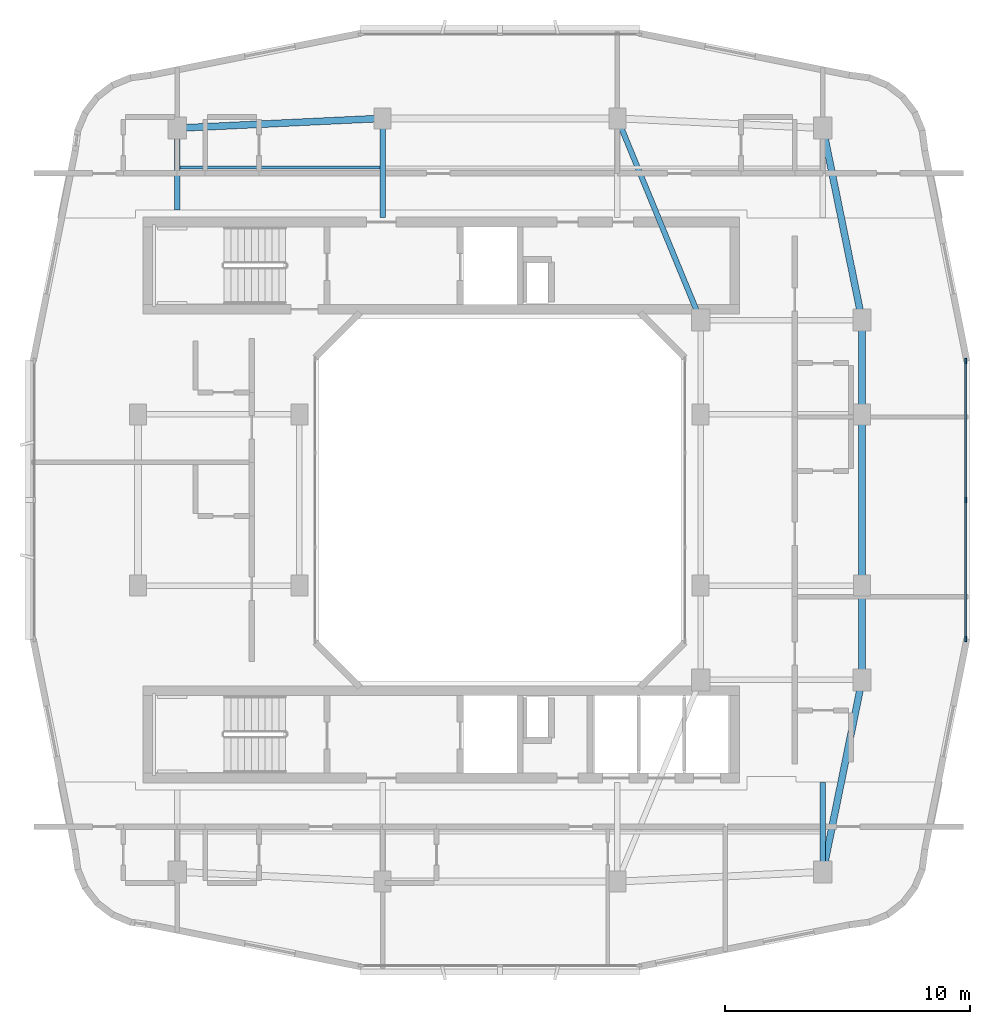
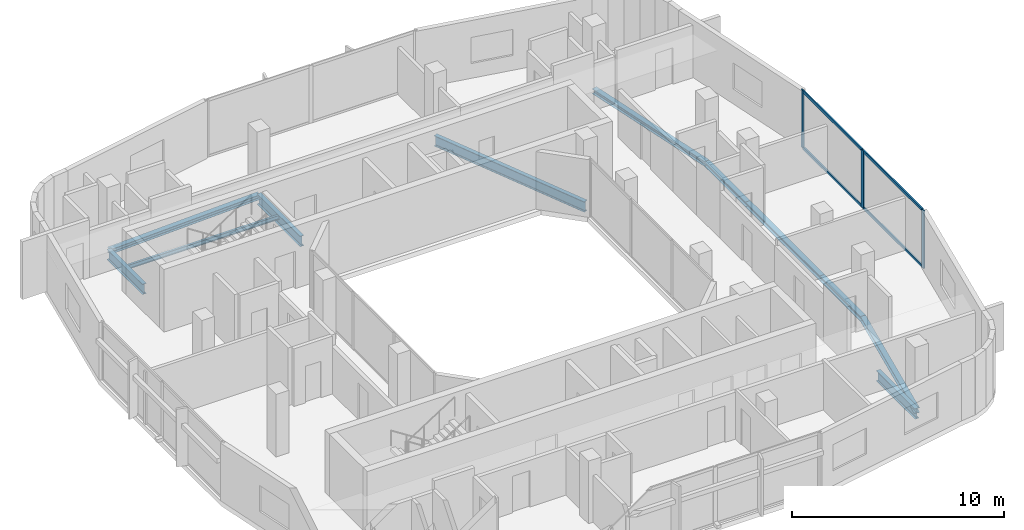
# One storey, part 4 of 14: 11 beams, 7 members, 1 element without a shape of its own.
"""IFC4 building model written with IfcOpenShell, lengths in metres."""

from ifc_helpers import new_model, si_unit, derived_unit, direction, frame, origin, origin_2d, place, context, subcontext, project, spatial, rectangle, i_section, extrude, material, layer, layer_set, material_profile, profile_set, type_object, element, aggregate, save


model = new_model("IFC4")

# Units and contexts
model_context = context("Model", 3, precision=1e-05, world=origin(), true_north=direction((0.0, 1.0)))
body_context = subcontext(model_context, "Body", "Model", "MODEL_VIEW")
ifc_project = project(units=[si_unit("LENGTHUNIT", "METRE"), si_unit("AREAUNIT", "SQUARE_METRE"), si_unit("VOLUMEUNIT", "CUBIC_METRE"), si_unit("PLANEANGLEUNIT", "RADIAN"), si_unit("MASSUNIT", "GRAM", prefix="KILO"), derived_unit("THERMALTRANSMITTANCEUNIT", [(si_unit("POWERUNIT", "WATT"), 1), (si_unit("LENGTHUNIT", "METRE"), -2), (si_unit("THERMODYNAMICTEMPERATUREUNIT", "KELVIN"), -1)])], contexts=[model_context])

# Site, building, storey
site_placement = place(None, origin())
site = spatial("IfcSite", under=ifc_project, at=site_placement, CompositionType="ELEMENT")
building_placement = place(site_placement, origin())
building = spatial("IfcBuilding", under=site, at=building_placement, Name="Kivonza Crest Hotel", CompositionType="ELEMENT")
storey_placement = place(building_placement, frame((0.0, 0.0, 202.699951171875)))
storey = spatial("IfcBuildingStorey", under=building, at=storey_placement, Name="L55", CompositionType="ELEMENT", Elevation=202.699951171875)

# Beams
ifc_material_1 = material(Name="Steel S355", Category="steel")
ifc_material_profile_1 = material_profile(ifc_material_1, i_section(OverallWidth=0.280029296875, OverallDepth=0.280029296875, WebThickness=0.010498046875, FlangeThickness=0.01806640625, FilletRadius=0.02392578125, at=origin_2d()), Name="HEB 280")
ifc_profile_set_1 = profile_set([ifc_material_profile_1], Name="Steel S355")
beam_type_1 = type_object("IfcBeamType", Name="BM-HEB280", PredefinedType="SPANDREL", material=ifc_profile_set_1)
beam_1_placement = place(storey_placement, frame((34.199951171875, 9.800048828125, -0.419921875), z_axis=(0.199730733965, 0.979850822273, 0.0), x_axis=(-0.979850822273, 0.199730733965, 0.0)))
element("IfcBeam", 1, at=beam_1_placement, inside=storey, type_object=beam_type_1, Name="Tower T1 L55 perimeter spandrel SE-PSE", PredefinedType="SPANDREL", context=body_context, shape_type="SweptSolid", body=[
    extrude(i_section(OverallWidth=0.280029296875, OverallDepth=0.280029296875, WebThickness=0.010498046875, FlangeThickness=0.01806640625, FilletRadius=0.02392578125, at=origin_2d()), origin(), (0.0, 0.0, 1.0), 8.01123046875),
])
beam_2_placement = place(storey_placement, frame((35.800048828125, 17.64990234375, -0.419921875), z_axis=(0.0, 1.0, 0.0), x_axis=(-1.0, 0.0, 0.0)))
element("IfcBeam", 2, at=beam_2_placement, inside=storey, type_object=beam_type_1, Name="Tower T1 L55 perimeter spandrel PSE-E1", PredefinedType="SPANDREL", context=body_context, shape_type="SweptSolid", body=[
    extrude(i_section(OverallWidth=0.280029296875, OverallDepth=0.280029296875, WebThickness=0.010498046875, FlangeThickness=0.01806640625, FilletRadius=0.02392578125, at=origin_2d()), origin(), (0.0, 0.0, 1.0), 3.85009765625),
])
beam_3_placement = place(storey_placement, frame((35.800048828125, 21.5, -0.419921875), z_axis=(0.0, 1.0, 0.0), x_axis=(-1.0, 0.0, 0.0)))
element("IfcBeam", 3, at=beam_3_placement, inside=storey, type_object=beam_type_1, Name="Tower T1 L55 perimeter spandrel E1-E2", PredefinedType="SPANDREL", context=body_context, shape_type="SweptSolid", body=[
    extrude(i_section(OverallWidth=0.280029296875, OverallDepth=0.280029296875, WebThickness=0.010498046875, FlangeThickness=0.01806640625, FilletRadius=0.02392578125, at=origin_2d()), origin(), (0.0, 0.0, 1.0), 7.0),
])
beam_4_placement = place(storey_placement, frame((35.800048828125, 28.5, -0.419921875), z_axis=(0.0, 1.0, 0.0), x_axis=(-1.0, 0.0, 0.0)))
element("IfcBeam", 4, at=beam_4_placement, inside=storey, type_object=beam_type_1, Name="Tower T1 L55 perimeter spandrel E2-PNE", PredefinedType="SPANDREL", context=body_context, shape_type="SweptSolid", body=[
    extrude(i_section(OverallWidth=0.280029296875, OverallDepth=0.280029296875, WebThickness=0.010498046875, FlangeThickness=0.01806640625, FilletRadius=0.02392578125, at=origin_2d()), origin(), (0.0, 0.0, 1.0), 3.85009765625),
])
beam_5_placement = place(storey_placement, frame((35.800048828125, 32.35009765625, -0.419921875), z_axis=(-0.199730733965, 0.979850822273, 0.0), x_axis=(-0.979850822273, -0.199730733965, 0.0)))
element("IfcBeam", 5, at=beam_5_placement, inside=storey, type_object=beam_type_1, Name="Tower T1 L55 perimeter spandrel PNE-NE", PredefinedType="SPANDREL", context=body_context, shape_type="SweptSolid", body=[
    extrude(i_section(OverallWidth=0.280029296875, OverallDepth=0.280029296875, WebThickness=0.010498046875, FlangeThickness=0.01806640625, FilletRadius=0.02392578125, at=origin_2d()), origin(), (0.0, 0.0, 1.0), 8.01123046875),
])
beam_6_placement = place(storey_placement, frame((16.199951171875, 40.60009765625, -0.419921875), z_axis=(-0.998867283688, -0.047583080799, 0.0), x_axis=(0.047583080799, -0.998867283688, 0.0)))
element("IfcBeam", 6, at=beam_6_placement, inside=storey, type_object=beam_type_1, Name="Tower T1 L55 perimeter spandrel N1-NW", PredefinedType="SPANDREL", context=body_context, shape_type="SweptSolid", body=[
    extrude(i_section(OverallWidth=0.280029296875, OverallDepth=0.280029296875, WebThickness=0.010498046875, FlangeThickness=0.01806640625, FilletRadius=0.02392578125, at=origin_2d()), origin(), (0.0, 0.0, 1.0), 8.409423828125),
])
ifc_material_profile_2 = material_profile(ifc_material_1, i_section(OverallWidth=0.1201171875, OverallDepth=0.239990234375, WebThickness=0.006103515625, FlangeThickness=0.009765625, FilletRadius=0.014892578125, at=origin_2d()), Name="IPE 240")
ifc_profile_set_2 = profile_set([ifc_material_profile_2], Name="Steel S355")
beam_type_2 = type_object("IfcBeamType", Name="BM-IPE240", PredefinedType="JOIST", material=ifc_profile_set_2)
beam_7_placement = place(storey_placement, frame((7.8798828125, 38.60009765625, -0.39990234375), z_axis=(1.0, 0.0, 0.0), x_axis=(0.0, 1.0, 0.0)))
element("IfcBeam", 7, at=beam_7_placement, inside=storey, type_object=beam_type_2, Name="Tower T1 L55 North-West floor joist", PredefinedType="JOIST", context=body_context, shape_type="SweptSolid", body=[
    extrude(i_section(OverallWidth=0.1201171875, OverallDepth=0.239990234375, WebThickness=0.006103515625, FlangeThickness=0.009765625, FilletRadius=0.014892578125, at=origin_2d()), origin(), (0.0, 0.0, 1.0), 8.240234375),
])
ifc_material_profile_3 = material_profile(ifc_material_1, i_section(OverallWidth=0.219970703125, OverallDepth=0.60009765625, WebThickness=0.011962890625, FlangeThickness=0.01904296875, FilletRadius=0.02392578125, at=origin_2d()), Name="IPE 600")
ifc_profile_set_3 = profile_set([ifc_material_profile_3], Name="Steel S355")
beam_type_3 = type_object("IfcBeamType", Name="BM-IPE600", PredefinedType="BEAM", material=ifc_profile_set_3)
beam_8_placement = place(storey_placement, frame((25.800048828125, 40.60009765625, -0.579833984375), z_axis=(0.381022260404, -0.924565864109, 0.0), x_axis=(0.924565864109, 0.381022260404, 0.0)))
element("IfcBeam", 8, at=beam_8_placement, inside=storey, type_object=beam_type_3, Name="Tower T1 L55 primary girder N1-TNE", PredefinedType="BEAM", context=body_context, shape_type="SweptSolid", body=[
    extrude(i_section(OverallWidth=0.219970703125, OverallDepth=0.60009765625, WebThickness=0.011962890625, FlangeThickness=0.01904296875, FilletRadius=0.02392578125, at=origin_2d()), origin(), (0.0, 0.0, 1.0), 8.923095703125),
])
beam_9_placement = place(storey_placement, frame((34.199951171875, 9.800048828125, -0.579833984375), z_axis=(0.0, 1.0, 0.0), x_axis=(-1.0, 0.0, 0.0)))
element("IfcBeam", 9, at=beam_9_placement, inside=storey, type_object=beam_type_3, Name="Tower T1 L55 radial core girder RSE", PredefinedType="BEAM", context=body_context, shape_type="SweptSolid", body=[
    extrude(i_section(OverallWidth=0.219970703125, OverallDepth=0.60009765625, WebThickness=0.011962890625, FlangeThickness=0.01904296875, FilletRadius=0.02392578125, at=origin_2d()), origin(), (0.0, 0.0, 1.0), 3.64990234375),
])
beam_10_placement = place(storey_placement, frame((7.800048828125, 40.199951171875, -0.579833984375), z_axis=(0.0, -1.0, 0.0), x_axis=(1.0, 0.0, 0.0)))
element("IfcBeam", 10, at=beam_10_placement, inside=storey, type_object=beam_type_3, Name="Tower T1 L55 radial core girder RNW", PredefinedType="BEAM", context=body_context, shape_type="SweptSolid", body=[
    extrude(i_section(OverallWidth=0.219970703125, OverallDepth=0.60009765625, WebThickness=0.011962890625, FlangeThickness=0.01904296875, FilletRadius=0.02392578125, at=origin_2d()), origin(), (0.0, 0.0, 1.0), 3.349853515625),
])
beam_11_placement = place(storey_placement, frame((16.199951171875, 40.60009765625, -0.579833984375), z_axis=(0.0, -1.0, 0.0), x_axis=(1.0, 0.0, 0.0)))
element("IfcBeam", 11, at=beam_11_placement, inside=storey, type_object=beam_type_3, Name="Tower T1 L55 radial core girder RN1", PredefinedType="BEAM", context=body_context, shape_type="SweptSolid", body=[
    extrude(i_section(OverallWidth=0.219970703125, OverallDepth=0.60009765625, WebThickness=0.011962890625, FlangeThickness=0.01904296875, FilletRadius=0.02392578125, at=origin_2d()), origin(), (0.0, 0.0, 1.0), 4.050048828125),
])

# Curtain wall, members
ifc_material_2 = material(Name="Anodised bronze aluminium and low-E double glazing", Category="aluminium")
ifc_layer = layer(ifc_material_2, 0.179931640625)
ifc_layer_set = layer_set([ifc_layer], Name="Anodised bronze aluminium and low-E double glazing")
curtain_wall_type = type_object("IfcCurtainWallType", Name="CW-SYS-3", PredefinedType="NOTDEFINED", material=ifc_layer_set)
curtain_wall_placement = place(storey_placement, origin())
curtain_wall = element("IfcCurtainWall", 12, at=curtain_wall_placement, inside=storey, type_object=curtain_wall_type, Name="L55 unitised curtain wall CW-T1-L55-17", PredefinedType="NOTDEFINED")
ifc_material_3 = material(Name="Anodised bronze aluminium", Category="aluminium")
ifc_material_profile_4 = material_profile(ifc_material_3, rectangle(XDim=0.074951171875, YDim=0.219970703125, at=origin_2d()), Name="CW-M 75x220")
ifc_profile_set_4 = profile_set([ifc_material_profile_4], Name="Anodised bronze aluminium")
member_type_1 = type_object("IfcMemberType", Name="CW-MUL-75x220", PredefinedType="MULLION", material=ifc_profile_set_4)
member_1_placement = place(storey_placement, frame((40.0400390625, 19.3173828125, 0.0), z_axis=(0.0, 0.0, 1.0), x_axis=(-1.0, 0.0, 0.0)))
member_1 = element("IfcMember", 13, at=member_1_placement, type_object=member_type_1, Name="CW-3 mullion 1", PredefinedType="MULLION", context=body_context, shape_type="SweptSolid", body=[
    extrude(rectangle(XDim=0.074951171875, YDim=0.219970703125, at=origin_2d()), origin(), (0.0, 0.0, 1.0), 3.320068359375),
])
member_2_placement = place(storey_placement, frame((40.0400390625, 25.0, 0.0), z_axis=(0.0, 0.0, 1.0), x_axis=(-1.0, 0.0, 0.0)))
member_2 = element("IfcMember", 14, at=member_2_placement, type_object=member_type_1, Name="CW-3 mullion 2", PredefinedType="MULLION", context=body_context, shape_type="SweptSolid", body=[
    extrude(rectangle(XDim=0.074951171875, YDim=0.219970703125, at=origin_2d()), origin(), (0.0, 0.0, 1.0), 3.320068359375),
])
member_3_placement = place(storey_placement, frame((40.0400390625, 30.6826171875, 0.0), z_axis=(0.0, 0.0, 1.0), x_axis=(-1.0, 0.0, 0.0)))
member_3 = element("IfcMember", 15, at=member_3_placement, type_object=member_type_1, Name="CW-3 mullion 3", PredefinedType="MULLION", context=body_context, shape_type="SweptSolid", body=[
    extrude(rectangle(XDim=0.074951171875, YDim=0.219970703125, at=origin_2d()), origin(), (0.0, 0.0, 1.0), 3.320068359375),
])
ifc_material_profile_5 = material_profile(ifc_material_3, rectangle(XDim=0.074951171875, YDim=0.159912109375, at=origin_2d()), Name="CW-T 75x160")
ifc_profile_set_5 = profile_set([ifc_material_profile_5], Name="Anodised bronze aluminium")
member_type_2 = type_object("IfcMemberType", Name="CW-TRN-75x160", PredefinedType="USERDEFINED", material=ifc_profile_set_5)
member_4_placement = place(storey_placement, frame((40.0400390625, 19.35498046875, 0.03759765625), z_axis=(0.0, 1.0, 0.0), x_axis=(-1.0, 0.0, 0.0)))
member_4 = element("IfcMember", 16, at=member_4_placement, type_object=member_type_2, Name="CW-3 transom 1.1", ObjectType="TRANSOM", PredefinedType="USERDEFINED", context=body_context, shape_type="SweptSolid", body=[
    extrude(rectangle(XDim=0.074951171875, YDim=0.159912109375, at=origin_2d()), origin(), (0.0, 0.0, 1.0), 5.607421875),
])
member_5_placement = place(storey_placement, frame((40.0400390625, 19.35498046875, 3.282470703125), z_axis=(0.0, 1.0, 0.0), x_axis=(-1.0, 0.0, 0.0)))
member_5 = element("IfcMember", 17, at=member_5_placement, type_object=member_type_2, Name="CW-3 transom 1.2", ObjectType="TRANSOM", PredefinedType="USERDEFINED", context=body_context, shape_type="SweptSolid", body=[
    extrude(rectangle(XDim=0.074951171875, YDim=0.159912109375, at=origin_2d()), origin(), (0.0, 0.0, 1.0), 5.607421875),
])
member_6_placement = place(storey_placement, frame((40.0400390625, 25.03759765625, 0.03759765625), z_axis=(0.0, 1.0, 0.0), x_axis=(-1.0, 0.0, 0.0)))
member_6 = element("IfcMember", 18, at=member_6_placement, type_object=member_type_2, Name="CW-3 transom 2.1", ObjectType="TRANSOM", PredefinedType="USERDEFINED", context=body_context, shape_type="SweptSolid", body=[
    extrude(rectangle(XDim=0.074951171875, YDim=0.159912109375, at=origin_2d()), origin(), (0.0, 0.0, 1.0), 5.607421875),
])
member_7_placement = place(storey_placement, frame((40.0400390625, 25.03759765625, 3.282470703125), z_axis=(0.0, 1.0, 0.0), x_axis=(-1.0, 0.0, 0.0)))
member_7 = element("IfcMember", 19, at=member_7_placement, type_object=member_type_2, Name="CW-3 transom 2.2", ObjectType="TRANSOM", PredefinedType="USERDEFINED", context=body_context, shape_type="SweptSolid", body=[
    extrude(rectangle(XDim=0.074951171875, YDim=0.159912109375, at=origin_2d()), origin(), (0.0, 0.0, 1.0), 5.607421875),
])
aggregate(curtain_wall, [member_1, member_2, member_3, member_4, member_5, member_6, member_7])

save(model, "model.ifc")
